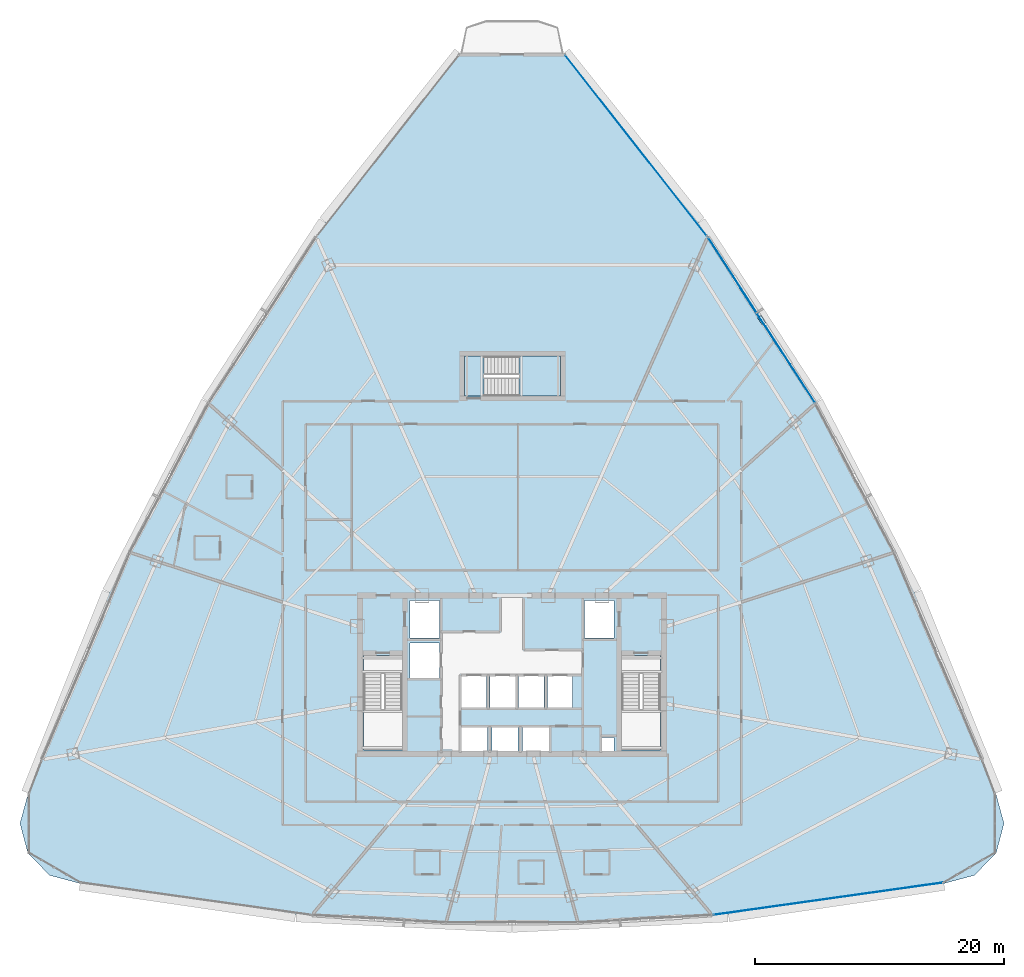
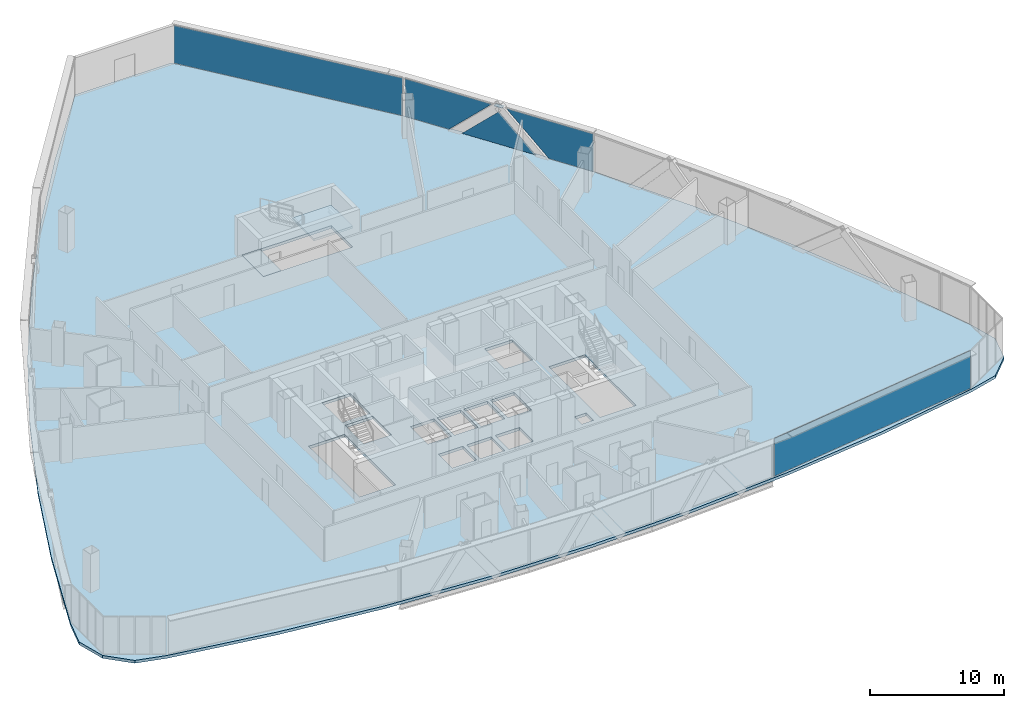
# One storey, part 29 of 40: 6 plates, 3 slabs, 4 elements without a shape of their own.
"""IFC4 building model written with IfcOpenShell, lengths in metres."""

from ifc_helpers import new_model, si_unit, direction, frame, origin, origin_2d, place, context, subcontext, project, spatial, polyline, rectangle, outline, extrude, source, transform, mapped, material, layer, layer_set, type_object, element, aggregate, save


model = new_model("IFC4")

# Units and contexts
model_context = context("Model", 3, precision=1e-05, world=origin(), true_north=direction((0.0, 1.0)))
body_context = subcontext(model_context, "Body", "Model", "MODEL_VIEW")
ifc_project = project(units=[si_unit("LENGTHUNIT", "METRE"), si_unit("AREAUNIT", "SQUARE_METRE"), si_unit("VOLUMEUNIT", "CUBIC_METRE"), si_unit("PLANEANGLEUNIT", "RADIAN"), si_unit("MASSUNIT", "GRAM", prefix="KILO"), si_unit("THERMODYNAMICTEMPERATUREUNIT", "KELVIN"), si_unit("POWERUNIT", "WATT")], contexts=[model_context])

# Site, building, storey
site_placement = place(None, origin())
site = spatial("IfcSite", under=ifc_project, at=site_placement, CompositionType="ELEMENT")
building_placement = place(site_placement, origin())
building = spatial("IfcBuilding", under=site, at=building_placement, Name="Yunzhuo Pagoda Commons", CompositionType="ELEMENT")
storey_placement = place(building_placement, frame((0.0, 0.0, 180.9599609375)))
storey = spatial("IfcBuildingStorey", under=building, at=storey_placement, Name="L45", CompositionType="ELEMENT", Elevation=180.9599609375)

# Curtain wall, plates
ifc_material_1 = material(Name="Anodized aluminium 6063-T6", Category="aluminium")
ifc_layer_1 = layer(ifc_material_1, 0.14990234375)
ifc_layer_set_1 = layer_set([ifc_layer_1], Name="Anodized aluminium 6063-T6")
curtain_wall_type = type_object("IfcCurtainWallType", Name="CW-MID Mid-Zone Ribbon Curtain Wall", PredefinedType="NOTDEFINED", material=ifc_layer_set_1)
curtain_wall_1_placement = place(storey_placement, origin())
curtain_wall_1 = element("IfcCurtainWall", 1, at=curtain_wall_1_placement, inside=storey, type_object=curtain_wall_type, Name="L45 curtain wall CW-L45-F2B4", PredefinedType="NOTDEFINED")
ifc_material_2 = material(Name="Tempered low-e double glazing", Category="glass")
ifc_layer_2 = layer(ifc_material_2, 0.028076171875)
ifc_layer_set_2 = layer_set([ifc_layer_2], Name="Tempered low-e double glazing")
plate_type_1 = type_object("IfcPlateType", Name="CW-MID-P Low-E Double Glazing 28", PredefinedType="CURTAIN_PANEL", material=ifc_layer_set_2)
plate_1_placement = place(storey_placement, frame((70.3134765625, 58.711669921875, 1.77001953125), z_axis=(0.839626850374, 0.543163651335, 0.0), x_axis=(-0.543163651335, 0.839626850374, 0.0)))
plate_1 = element("IfcPlate", 2, at=plate_1_placement, type_object=plate_type_1, Name="CW panel 1.1 lite 1", PredefinedType="CURTAIN_PANEL", context=body_context, shape_type="SweptSolid", body=[
    extrude(outline(polyline([(-3.64111328125, -1.715087890625), (0.05322265625, -1.715087890625), (3.64111328125, 1.715087890625), (-3.64111328125, 1.715087890625), (-3.64111328125, -1.715087890625)])), origin(), (0.0, 0.0, 1.0), 0.028076171875),
])
plate_2_placement = place(storey_placement, frame((67.98046875, 62.2626953125, 1.53466796875), z_axis=(0.839626850374, 0.543163651335, 0.0), x_axis=(-0.543163651335, 0.839626850374, 0.0)))
plate_2 = element("IfcPlate", 3, at=plate_2_placement, type_object=plate_type_1, Name="CW panel 1.1 lite 2", PredefinedType="CURTAIN_PANEL", context=body_context, shape_type="SweptSolid", body=[
    extrude(outline(polyline([(-3.095458984375, -1.4794921875), (3.095458984375, -1.4794921875), (0.0, 1.479736328125), (-3.095458984375, -1.4794921875)])), origin(), (0.0, 0.0, 1.0), 0.028076171875),
])
plate_3_placement = place(storey_placement, frame((65.697998046875, 65.84619140625, 1.77001953125), z_axis=(0.839626850374, 0.543163651335, 0.0), x_axis=(-0.543163651335, 0.839626850374, 0.0)))
plate_3 = element("IfcPlate", 4, at=plate_3_placement, type_object=plate_type_1, Name="CW panel 1.1 lite 3", PredefinedType="CURTAIN_PANEL", context=body_context, shape_type="SweptSolid", body=[
    extrude(outline(polyline([(-3.64111328125, 1.715087890625), (-0.05322265625, -1.715087890625), (3.64111328125, -1.715087890625), (3.64111328125, 1.715087890625), (-3.64111328125, 1.715087890625)])), origin(), (0.0, 0.0, 1.0), 0.028076171875),
])
aggregate(curtain_wall_1, [plate_1, plate_2, plate_3])

# Stair, slabs
ifc_material_3 = material(Name="Concrete C40", Category="concrete")
stair_type = type_object("IfcStairType", Name="ST-C3 North Tower Smokeproof Stair ST3", PredefinedType="HALF_TURN_STAIR", material=ifc_material_3)
stair_placement = place(storey_placement, origin())
stair = element("IfcStair", 5, at=stair_placement, inside=storey, type_object=stair_type, Name="L45 North tower smokeproof stair ST3", PredefinedType="HALF_TURN_STAIR")
ifc_layer_3 = layer(ifc_material_3, 0.2041015625)
ifc_layer_set_3 = layer_set([ifc_layer_3], Name="Concrete C40")
slab_type_1 = type_object("IfcSlabType", Name="SL-LND5 North Landing Slab 204", PredefinedType="LANDING", material=ifc_layer_set_3)
slab_1_placement = place(storey_placement, frame((0.0, 0.0, 1.699951171875)))
slab_1 = element("IfcSlab", 6, at=slab_1_placement, type_object=slab_type_1, Name="ST3 landing 1", PredefinedType="LANDING", context=body_context, shape_type="SweptSolid", body=[
    extrude(outline(polyline([(48.550048828125, 56.199951171875), (51.89990234375, 56.199951171875), (51.89990234375, 59.39990234375), (48.550048828125, 59.39990234375), (48.550048828125, 56.199951171875)])), origin(), (0.0, 0.0, 1.0), 0.2001953125),
])
slab_2_placement = place(storey_placement, frame((0.0, 0.0, -0.199951171875)))
slab_2 = element("IfcSlab", 7, at=slab_2_placement, type_object=slab_type_1, Name="ST3 floor landing L45", PredefinedType="LANDING", context=body_context, shape_type="SweptSolid", body=[
    extrude(outline(polyline([(44.199951171875, 56.199951171875), (45.75, 56.199951171875), (45.75, 59.39990234375), (44.199951171875, 59.39990234375), (44.199951171875, 56.199951171875)])), origin(), (0.0, 0.0, 1.0), 0.199951171875),
])
aggregate(stair, [slab_1, slab_2])

# Slab
ifc_layer_4 = layer(ifc_material_3, 0.260009765625)
ifc_layer_set_4 = layer_set([ifc_layer_4], Name="Concrete C40")
slab_type_2 = type_object("IfcSlabType", Name="SL-TWR Typical Tower Floor Slab 260", PredefinedType="FLOOR", material=ifc_layer_set_4)
slab_3_placement = place(storey_placement, frame((0.0, 0.0, -0.260009765625)))
element("IfcSlab", 8, at=slab_3_placement, inside=storey, type_object=slab_type_2, Name="L45 structural floor slab", PredefinedType="FLOOR", context=body_context, shape_type="SweptSolid", body=[
    extrude(outline(polyline([(12.25390625, 32.49609375), (15.67626953125, 40.45068359375), (19.462890625, 48.1923828125), (23.614013671875, 55.7216796875), (28.129150390625, 63.038330078125), (33.00830078125, 70.142333984375), (38.251953125, 77.03369140625), (43.859619140625, 83.712646484375), (52.140380859375, 83.712646484375), (57.748046875, 77.03369140625), (62.99169921875, 70.142333984375), (67.870849609375, 63.038330078125), (72.385986328125, 55.7216796875), (76.537109375, 48.1923828125), (80.32373046875, 40.45068359375), (83.74609375, 32.49609375), (86.8046875, 24.3291015625), (87.45849609375, 21.929443359375), (86.82177734375, 19.525146484375), (85.06640625, 17.76318359375), (82.664306640625, 17.1181640625), (73.998291015625, 15.64208984375), (65.33203125, 14.587890625), (56.666015625, 13.955322265625), (48.0, 13.74462890625), (39.333984375, 13.955322265625), (30.667724609375, 14.587890625), (22.001708984375, 15.64208984375), (13.335693359375, 17.1181640625), (10.93359375, 17.76318359375), (9.17822265625, 19.525146484375), (8.54150390625, 21.929443359375), (9.1953125, 24.3291015625), (12.25390625, 32.49609375)]), holes=[polyline([(46.050048828125, 29.64990234375), (43.949951171875, 29.64990234375), (43.949951171875, 27.60009765625), (46.050048828125, 27.60009765625), (46.050048828125, 29.64990234375)]), polyline([(48.5, 27.60009765625), (48.5, 29.64990234375), (46.39990234375, 29.64990234375), (46.39990234375, 27.60009765625), (48.5, 27.60009765625)]), polyline([(36.10009765625, 27.800048828125), (39.199951171875, 27.800048828125), (39.199951171875, 35.39990234375), (36.10009765625, 35.39990234375), (36.10009765625, 27.800048828125)]), polyline([(45.969970703125, 31.199951171875), (45.969970703125, 33.800048828125), (43.929931640625, 33.800048828125), (43.929931640625, 31.199951171875), (45.969970703125, 31.199951171875)]), polyline([(48.27001953125, 31.199951171875), (48.27001953125, 33.800048828125), (46.22998046875, 33.800048828125), (46.22998046875, 31.199951171875), (48.27001953125, 31.199951171875)]), polyline([(42.199951171875, 33.60009765625), (42.199951171875, 36.39990234375), (39.800048828125, 36.39990234375), (39.800048828125, 33.60009765625), (42.199951171875, 33.60009765625)]), polyline([(42.199951171875, 36.800048828125), (42.199951171875, 39.800048828125), (39.800048828125, 39.800048828125), (39.800048828125, 36.800048828125), (42.199951171875, 36.800048828125)]), polyline([(56.179931640625, 28.800048828125), (55.179931640625, 28.800048828125), (55.179931640625, 27.699951171875), (56.179931640625, 27.699951171875), (56.179931640625, 28.800048828125)]), polyline([(50.949951171875, 27.60009765625), (50.949951171875, 29.64990234375), (48.85009765625, 29.64990234375), (48.85009765625, 27.60009765625), (50.949951171875, 27.60009765625)]), polyline([(56.800048828125, 27.800048828125), (59.89990234375, 27.800048828125), (59.89990234375, 35.39990234375), (56.800048828125, 35.39990234375), (56.800048828125, 27.800048828125)]), polyline([(50.570068359375, 31.199951171875), (50.570068359375, 33.800048828125), (48.530029296875, 33.800048828125), (48.530029296875, 31.199951171875), (50.570068359375, 31.199951171875)]), polyline([(52.8701171875, 31.199951171875), (52.8701171875, 33.800048828125), (50.830078125, 33.800048828125), (50.830078125, 31.199951171875), (52.8701171875, 31.199951171875)]), polyline([(56.199951171875, 36.800048828125), (56.199951171875, 39.800048828125), (53.800048828125, 39.800048828125), (53.800048828125, 36.800048828125), (56.199951171875, 36.800048828125)]), polyline([(51.89990234375, 56.199951171875), (51.89990234375, 59.39990234375), (44.199951171875, 59.39990234375), (44.199951171875, 56.199951171875), (51.89990234375, 56.199951171875)])]), origin(), (0.0, 0.0, 1.0), 0.260009765625),
])

# Plate
ifc_material_4 = material(Name="Structural steel Q355B", Category="steel")
ifc_layer_5 = layer(ifc_material_4, 0.028076171875)
ifc_layer_set_5 = layer_set([ifc_layer_5], Name="Structural steel Q355B")
plate_type_2 = type_object("IfcPlateType", Name="SP-ND1 Lattice Node Cap Plate 800x500x28", PredefinedType="USERDEFINED", material=ifc_layer_set_5)
shared_shape_1 = source(origin(), body_context, "Body", "SweptSolid", [
    extrude(rectangle(XDim=0.699951171875, YDim=0.35009765625, at=origin_2d()), origin(), (0.0, 0.0, 1.0), 0.035888671875),
])
plate_4_placement = place(storey_placement, frame((68.017333984375, 62.28662109375, 3.501953125), z_axis=(0.0, 0.0, 1.0), x_axis=(-0.543159795737, 0.839629344589, 0.0)))
element("IfcPlate", 9, at=plate_4_placement, inside=storey, type_object=plate_type_2, Name="L45 setback lattice tie plate F2.3L", ObjectType="STIFFENER_PLATE", PredefinedType="USERDEFINED", context=body_context, shape_type="MappedRepresentation", body=[
    mapped(shared_shape_1, transform((0.0, 0.0, 0.0), scale=1.0)),
])

# Curtain wall, plate
curtain_wall_2_placement = place(storey_placement, origin())
curtain_wall_2 = element("IfcCurtainWall", 10, at=curtain_wall_2_placement, inside=storey, type_object=curtain_wall_type, Name="L45 curtain wall CW-L45-F1B5", PredefinedType="NOTDEFINED")
shared_shape_2 = source(origin(), body_context, "Body", "SweptSolid", [
    extrude(rectangle(XDim=18.564453125, YDim=0.028076171875, at=origin_2d()), origin(), (0.0, 0.0, 1.0), 3.429931640625),
])
plate_5_placement = place(storey_placement, frame((73.373046875, 15.88671875, 0.05517578125), z_axis=(0.0, 0.0, 1.0), x_axis=(0.990259634524, 0.139233100351, 0.0)))
plate_5 = element("IfcPlate", 11, at=plate_5_placement, type_object=plate_type_1, Name="CW panel 1.1", PredefinedType="CURTAIN_PANEL", context=body_context, shape_type="MappedRepresentation", body=[
    mapped(shared_shape_2, transform((0.0, 0.0, 0.0), scale=1.0)),
])
aggregate(curtain_wall_2, [plate_5])

curtain_wall_3_placement = place(storey_placement, origin())
curtain_wall_3 = element("IfcCurtainWall", 12, at=curtain_wall_3_placement, inside=storey, type_object=curtain_wall_type, Name="L45 curtain wall CW-L45-F2B5", PredefinedType="NOTDEFINED")
shared_shape_3 = source(origin(), body_context, "Body", "SweptSolid", [
    extrude(rectangle(XDim=18.384765625, YDim=0.028076171875, at=origin_2d()), origin(), (0.0, 0.0, 1.0), 3.429931640625),
])
plate_6_placement = place(storey_placement, frame((57.944091796875, 76.301513671875, 0.05517578125), z_axis=(0.0, 0.0, 1.0), x_axis=(-0.617016460427, 0.786950244655, 0.0)))
plate_6 = element("IfcPlate", 13, at=plate_6_placement, type_object=plate_type_1, Name="CW panel 1.1", PredefinedType="CURTAIN_PANEL", context=body_context, shape_type="MappedRepresentation", body=[
    mapped(shared_shape_3, transform((0.0, 0.0, 0.0), scale=1.0)),
])
aggregate(curtain_wall_3, [plate_6])

save(model, "model.ifc")
